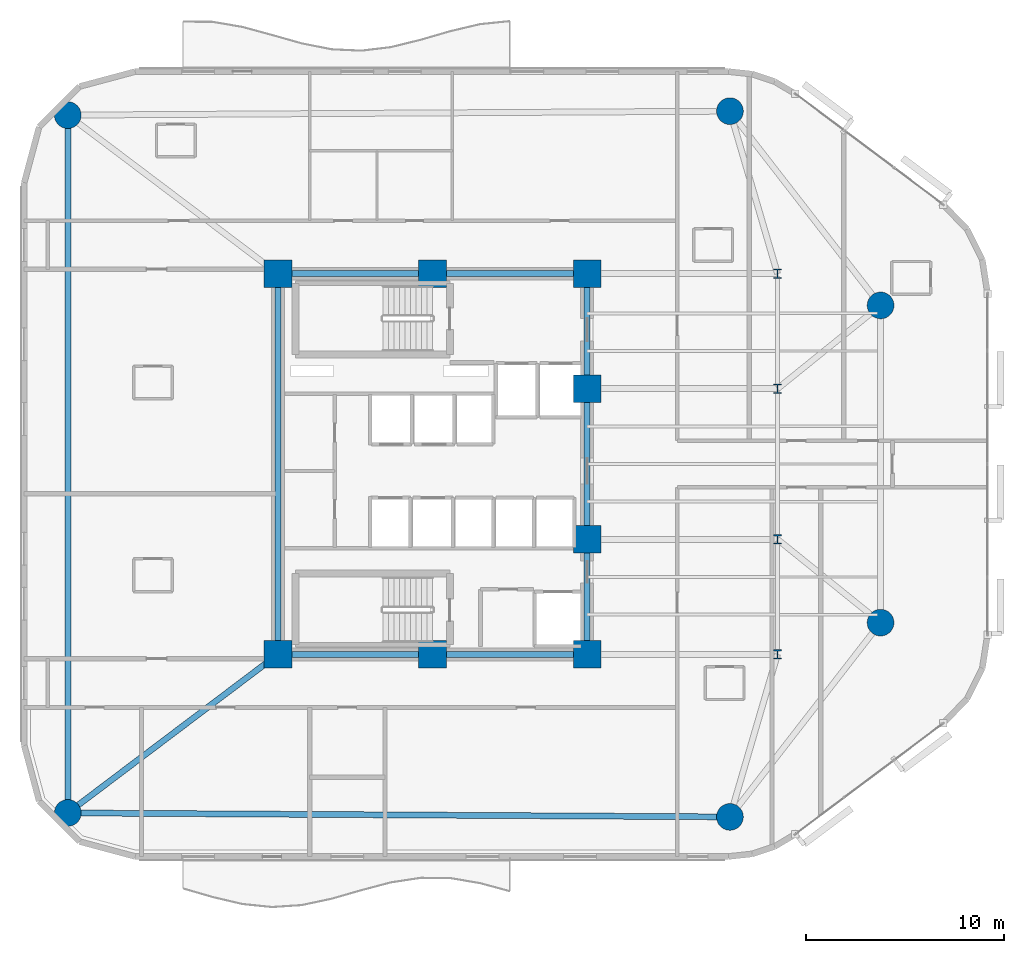
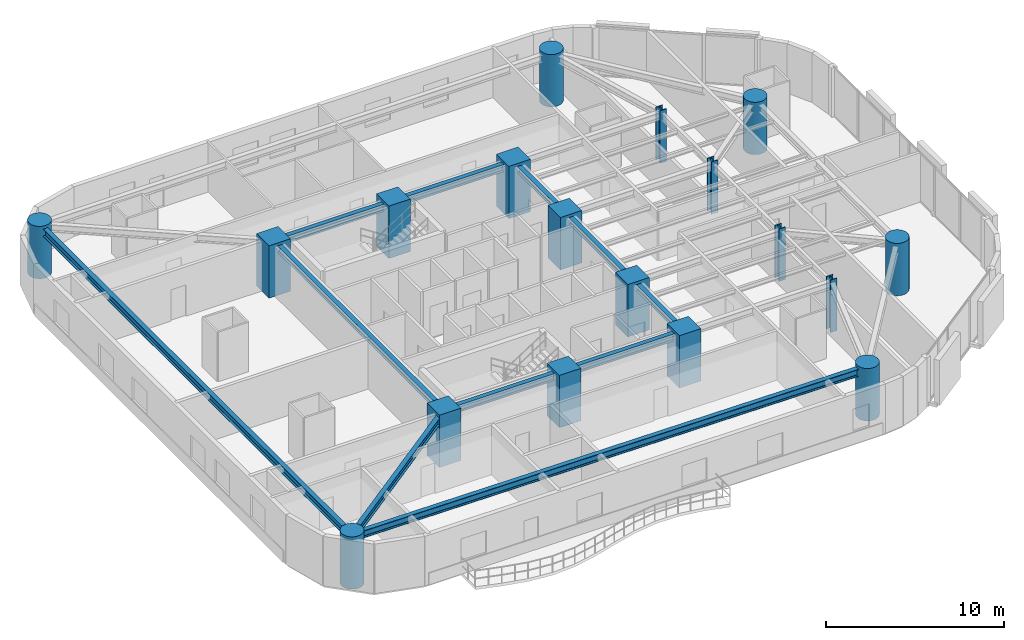
# One storey, part 1 of 16: 18 columns, 9 beams.
"""IFC4 building model written with IfcOpenShell, lengths in metres."""

from ifc_helpers import new_model, si_unit, direction, frame, origin, origin_2d, place, context, subcontext, project, spatial, rectangle, circle, i_section, extrude, material, material_profile, profile_set, type_object, element, save


model = new_model("IFC4")

# Units and contexts
model_context = context("Model", 3, precision=1e-05, world=origin(), true_north=direction((0.0, 1.0)))
body_context = subcontext(model_context, "Body", "Model", "MODEL_VIEW")
ifc_project = project(units=[si_unit("LENGTHUNIT", "METRE"), si_unit("AREAUNIT", "SQUARE_METRE"), si_unit("VOLUMEUNIT", "CUBIC_METRE"), si_unit("PLANEANGLEUNIT", "RADIAN"), si_unit("MASSUNIT", "GRAM", prefix="KILO")], contexts=[model_context])

# Site, building, storey
site_placement = place(None, origin())
site = spatial("IfcSite", under=ifc_project, at=site_placement, CompositionType="ELEMENT")
building_placement = place(site_placement, origin())
building = spatial("IfcBuilding", under=site, at=building_placement, Name="An Khanh Terracotta Commons", CompositionType="ELEMENT")
storey_placement = place(building_placement, frame((0.0, 0.0, 89.89990234375)))
storey = spatial("IfcBuildingStorey", under=building, at=storey_placement, Name="L23", CompositionType="ELEMENT", Elevation=89.89990234375)

# Columns
ifc_material_1 = material(Name="Concrete C70/85", Category="concrete")
ifc_material_profile_1 = material_profile(ifc_material_1, circle(Radius=0.675048828125, at=origin_2d()), Name="CFST1350")
ifc_profile_set_1 = profile_set([ifc_material_profile_1], Name="Concrete C70/85")
column_type_1 = type_object("IfcColumnType", Name="COL-CFST1350", PredefinedType="COLUMN", material=ifc_profile_set_1)
for number, where, z_axis, x_axis, name in (
    (1, (11.0, 6.39990234375, 0.0), (0.0, 0.0, 1.0), (1.0, 0.0, 0.0), "L23 Perimeter CFST Mega-Column MC-01"),
    (2, (44.39990234375, 6.199951171875, 0.0), (0.0, 0.0, 1.0), (1.0, 0.0, 0.0), "L23 Perimeter CFST Mega-Column MC-02"),
    (3, (52.0, 16.0, 0.0), (0.0, 0.0, 1.0), (1.0, 0.0, 0.0), "L23 Perimeter CFST Mega-Column MC-03"),
    (4, (52.0, 32.0, 0.0), (0.0, 0.0, 1.0), (1.0, 0.0, 0.0), "L23 Perimeter CFST Mega-Column MC-04"),
    (5, (44.39990234375, 41.800048828125, 0.0), (0.0, 0.0, 1.0), (1.0, 0.0, 0.0), "L23 Perimeter CFST Mega-Column MC-05"),
    (6, (11.0, 41.60009765625, 0.0), (0.0, 0.0, 1.0), (1.0, 0.0, 0.0), "L23 Perimeter CFST Mega-Column MC-06"),
):
    element("IfcColumn", number, at=place(storey_placement, frame(where, z_axis=z_axis, x_axis=x_axis)), inside=storey, type_object=column_type_1, Name=name, PredefinedType="COLUMN", context=body_context, shape_type="SweptSolid", body=[
        extrude(circle(Radius=0.675048828125, at=origin_2d()), origin(), (0.0, 0.0, 1.0), 3.60009765625),
    ])
ifc_material_2 = material(Name="Steel S460ML", Category="steel")
ifc_material_profile_2 = material_profile(ifc_material_2, i_section(OverallWidth=0.4169921875, OverallDepth=0.47705078125, WebThickness=0.035888671875, FlangeThickness=0.057373046875, FilletRadius=0.014892578125, at=origin_2d()), Name="HD400x463")
ifc_profile_set_2 = profile_set([ifc_material_profile_2], Name="Steel S460ML")
column_type_2 = type_object("IfcColumnType", Name="COL-HD400x463", PredefinedType="COLUMN", material=ifc_profile_set_2)
for number, where, z_axis, x_axis, name in (
    (7, (46.800048828125, 14.39990234375, 0.0), (0.0, 0.0, 1.0), (1.0, 0.0, 0.0), "L23 Interior Frame Column TC-01"),
    (8, (46.800048828125, 20.199951171875, 0.0), (0.0, 0.0, 1.0), (1.0, 0.0, 0.0), "L23 Interior Frame Column TC-02"),
    (9, (46.800048828125, 27.800048828125, 0.0), (0.0, 0.0, 1.0), (1.0, 0.0, 0.0), "L23 Interior Frame Column TC-03"),
    (10, (46.800048828125, 33.60009765625, 0.0), (0.0, 0.0, 1.0), (1.0, 0.0, 0.0), "L23 Interior Frame Column TC-04"),
):
    element("IfcColumn", number, at=place(storey_placement, frame(where, z_axis=z_axis, x_axis=x_axis)), inside=storey, type_object=column_type_2, Name=name, PredefinedType="COLUMN", context=body_context, shape_type="SweptSolid", body=[
        extrude(i_section(OverallWidth=0.4169921875, OverallDepth=0.47705078125, WebThickness=0.035888671875, FlangeThickness=0.057373046875, FilletRadius=0.014892578125, at=origin_2d()), origin(), (0.0, 0.0, 1.0), 3.60009765625),
    ])
ifc_material_profile_3 = material_profile(ifc_material_1, rectangle(XDim=1.39990234375, YDim=1.39990234375, at=origin_2d()), Name="RC1400x1400")
ifc_profile_set_3 = profile_set([ifc_material_profile_3], Name="Concrete C70/85")
column_type_3 = type_object("IfcColumnType", Name="COL-RC1400x1400", PredefinedType="COLUMN", material=ifc_profile_set_3)
for number, where, z_axis, x_axis, name in (
    (11, (21.60009765625, 14.39990234375, 0.0), (0.0, 0.0, 1.0), (1.0, 0.0, 0.0), "L23 Core Boundary Column CC-01"),
    (12, (29.39990234375, 14.39990234375, 0.0), (0.0, 0.0, 1.0), (1.0, 0.0, 0.0), "L23 Core Boundary Column CC-02"),
    (13, (37.199951171875, 14.39990234375, 0.0), (0.0, 0.0, 1.0), (1.0, 0.0, 0.0), "L23 Core Boundary Column CC-03"),
    (14, (37.199951171875, 20.199951171875, 0.0), (0.0, 0.0, 1.0), (1.0, 0.0, 0.0), "L23 Core Boundary Column CC-04"),
    (15, (37.199951171875, 27.800048828125, 0.0), (0.0, 0.0, 1.0), (1.0, 0.0, 0.0), "L23 Core Boundary Column CC-05"),
    (16, (37.199951171875, 33.60009765625, 0.0), (0.0, 0.0, 1.0), (1.0, 0.0, 0.0), "L23 Core Boundary Column CC-06"),
    (17, (29.39990234375, 33.60009765625, 0.0), (0.0, 0.0, 1.0), (1.0, 0.0, 0.0), "L23 Core Boundary Column CC-07"),
    (18, (21.60009765625, 33.60009765625, 0.0), (0.0, 0.0, 1.0), (1.0, 0.0, 0.0), "L23 Core Boundary Column CC-08"),
):
    element("IfcColumn", number, at=place(storey_placement, frame(where, z_axis=z_axis, x_axis=x_axis)), inside=storey, type_object=column_type_3, Name=name, PredefinedType="COLUMN", context=body_context, shape_type="SweptSolid", body=[
        extrude(rectangle(XDim=1.39990234375, YDim=1.39990234375, at=origin_2d()), origin(), (0.0, 0.0, 1.0), 3.60009765625),
    ])

# Beams
ifc_material_3 = material(Name="Steel S355J2", Category="steel")
ifc_material_profile_4 = material_profile(ifc_material_3, i_section(OverallWidth=0.300048828125, OverallDepth=0.449951171875, WebThickness=0.013916015625, FlangeThickness=0.02587890625, FilletRadius=0.027099609375, at=origin_2d()), Name="HEB450")
ifc_profile_set_4 = profile_set([ifc_material_profile_4], Name="Steel S355J2")
beam_type_1 = type_object("IfcBeamType", Name="BM-HEB450", PredefinedType="BEAM", material=ifc_profile_set_4)
beam_1_placement = place(storey_placement, frame((37.199951171875, 14.39990234375, 3.175048828125), z_axis=(0.0, 1.0, 0.0), x_axis=(-1.0, 0.0, 0.0)))
element("IfcBeam", 19, at=beam_1_placement, inside=storey, type_object=beam_type_1, Name="L23 Core East Coupling Girder 1", PredefinedType="BEAM", context=body_context, shape_type="SweptSolid", body=[
    extrude(i_section(OverallWidth=0.300048828125, OverallDepth=0.449951171875, WebThickness=0.013916015625, FlangeThickness=0.02587890625, FilletRadius=0.027099609375, at=origin_2d()), origin(), (0.0, 0.0, 1.0), 5.800048828125),
])
beam_2_placement = place(storey_placement, frame((37.199951171875, 20.199951171875, 3.175048828125), z_axis=(0.0, 1.0, 0.0), x_axis=(-1.0, 0.0, 0.0)))
element("IfcBeam", 20, at=beam_2_placement, inside=storey, type_object=beam_type_1, Name="L23 Core East Coupling Girder 2", PredefinedType="BEAM", context=body_context, shape_type="SweptSolid", body=[
    extrude(i_section(OverallWidth=0.300048828125, OverallDepth=0.449951171875, WebThickness=0.013916015625, FlangeThickness=0.02587890625, FilletRadius=0.027099609375, at=origin_2d()), origin(), (0.0, 0.0, 1.0), 7.60009765625),
])
beam_3_placement = place(storey_placement, frame((37.199951171875, 27.800048828125, 3.175048828125), z_axis=(0.0, 1.0, 0.0), x_axis=(-1.0, 0.0, 0.0)))
element("IfcBeam", 21, at=beam_3_placement, inside=storey, type_object=beam_type_1, Name="L23 Core East Coupling Girder 3", PredefinedType="BEAM", context=body_context, shape_type="SweptSolid", body=[
    extrude(i_section(OverallWidth=0.300048828125, OverallDepth=0.449951171875, WebThickness=0.013916015625, FlangeThickness=0.02587890625, FilletRadius=0.027099609375, at=origin_2d()), origin(), (0.0, 0.0, 1.0), 5.800048828125),
])
beam_4_placement = place(storey_placement, frame((21.60009765625, 14.39990234375, 3.175048828125), z_axis=(0.0, 1.0, 0.0), x_axis=(-1.0, 0.0, 0.0)))
element("IfcBeam", 22, at=beam_4_placement, inside=storey, type_object=beam_type_1, Name="L23 Core West Coupling Girder", PredefinedType="BEAM", context=body_context, shape_type="SweptSolid", body=[
    extrude(i_section(OverallWidth=0.300048828125, OverallDepth=0.449951171875, WebThickness=0.013916015625, FlangeThickness=0.02587890625, FilletRadius=0.027099609375, at=origin_2d()), origin(), (0.0, 0.0, 1.0), 19.2001953125),
])
ifc_material_profile_5 = material_profile(ifc_material_3, i_section(OverallWidth=0.300048828125, OverallDepth=0.5, WebThickness=0.014404296875, FlangeThickness=0.028076171875, FilletRadius=0.027099609375, at=origin_2d()), Name="HEB500")
ifc_profile_set_5 = profile_set([ifc_material_profile_5], Name="Steel S355J2")
beam_type_2 = type_object("IfcBeamType", Name="BM-HEB500", PredefinedType="BEAM", material=ifc_profile_set_5)
for number, where, z_axis, x_axis, name in (
    (23, (21.60009765625, 14.39990234375, 3.150146484375), (1.0, 0.0, 0.0), (0.0, 1.0, 0.0), "L23 Core South Coupling Girder"),
    (24, (21.60009765625, 33.60009765625, 3.150146484375), (1.0, 0.0, 0.0), (0.0, 1.0, 0.0), "L23 Core North Coupling Girder"),
):
    element("IfcBeam", number, at=place(storey_placement, frame(where, z_axis=z_axis, x_axis=x_axis)), inside=storey, type_object=beam_type_2, Name=name, PredefinedType="BEAM", context=body_context, shape_type="SweptSolid", body=[
        extrude(i_section(OverallWidth=0.300048828125, OverallDepth=0.5, WebThickness=0.014404296875, FlangeThickness=0.028076171875, FilletRadius=0.027099609375, at=origin_2d()), origin(), (0.0, 0.0, 1.0), 15.599853515625),
    ])
beam_5_placement = place(storey_placement, frame((11.0, 6.39990234375, 3.150146484375), z_axis=(0.999982080914, -0.005986472262, 0.0), x_axis=(0.005986472262, 0.999982080914, 0.0)))
element("IfcBeam", 25, at=beam_5_placement, inside=storey, type_object=beam_type_2, Name="L23 Perimeter Ring Spandrel 1", PredefinedType="BEAM", context=body_context, shape_type="SweptSolid", body=[
    extrude(i_section(OverallWidth=0.300048828125, OverallDepth=0.5, WebThickness=0.014404296875, FlangeThickness=0.028076171875, FilletRadius=0.027099609375, at=origin_2d()), origin(), (0.0, 0.0, 1.0), 33.400390625),
])
beam_6_placement = place(storey_placement, frame((11.0, 41.60009765625, 3.150146484375), z_axis=(0.0, -1.0, 0.0), x_axis=(1.0, 0.0, 0.0)))
element("IfcBeam", 26, at=beam_6_placement, inside=storey, type_object=beam_type_2, Name="L23 Perimeter Ring Spandrel 6", PredefinedType="BEAM", context=body_context, shape_type="SweptSolid", body=[
    extrude(i_section(OverallWidth=0.300048828125, OverallDepth=0.5, WebThickness=0.014404296875, FlangeThickness=0.028076171875, FilletRadius=0.027099609375, at=origin_2d()), origin(), (0.0, 0.0, 1.0), 35.2001953125),
])
beam_7_placement = place(storey_placement, frame((11.0, 6.39990234375, 3.150146484375), z_axis=(0.798191818888, 0.602403370061, 0.0), x_axis=(-0.602403370061, 0.798191818888, 0.0)))
element("IfcBeam", 27, at=beam_7_placement, inside=storey, type_object=beam_type_2, Name="L23 Mega-Column Tie Girder 1", PredefinedType="BEAM", context=body_context, shape_type="SweptSolid", body=[
    extrude(i_section(OverallWidth=0.300048828125, OverallDepth=0.5, WebThickness=0.014404296875, FlangeThickness=0.028076171875, FilletRadius=0.027099609375, at=origin_2d()), origin(), (0.0, 0.0, 1.0), 13.280029296875),
])

save(model, "model.ifc")
